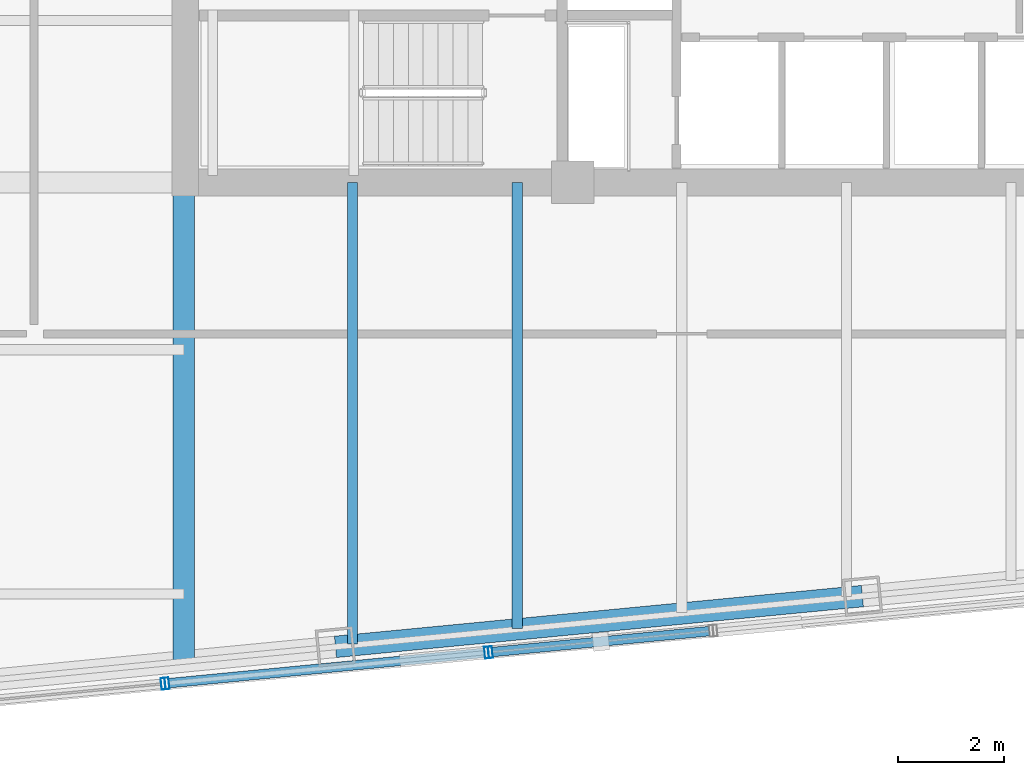
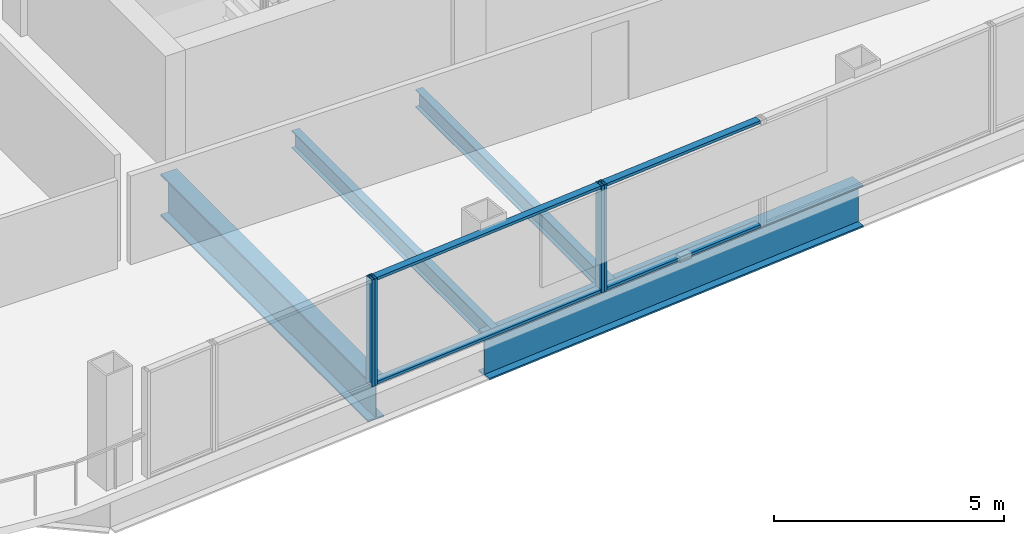
# One storey, part 4 of 28: 8 members, 4 beams, 3 elements without a shape of their own.
"""IFC4 building model written with IfcOpenShell, lengths in metres."""

from ifc_helpers import new_model, si_unit, direction, frame, origin, origin_2d, place, context, subcontext, project, spatial, hollow_rectangle, i_section, extrude, material, layer, layer_set, material_profile, profile_set, type_object, element, aggregate, save


model = new_model("IFC4")

# Units and contexts
model_context = context("Model", 3, precision=1e-05, world=origin(), true_north=direction((0.0, 1.0)))
body_context = subcontext(model_context, "Body", "Model", "MODEL_VIEW")
ifc_project = project(units=[si_unit("LENGTHUNIT", "METRE"), si_unit("AREAUNIT", "SQUARE_METRE"), si_unit("VOLUMEUNIT", "CUBIC_METRE"), si_unit("PLANEANGLEUNIT", "RADIAN"), si_unit("MASSUNIT", "GRAM", prefix="KILO")], contexts=[model_context])

# Site, building, storey
site_placement = place(None, origin())
site = spatial("IfcSite", under=ifc_project, at=site_placement, CompositionType="ELEMENT")
building_placement = place(site_placement, origin())
building = spatial("IfcBuilding", under=site, at=building_placement, Name="Qhalaya Broadcast Tower", CompositionType="ELEMENT")
storey_placement = place(building_placement, frame((0.0, 0.0, 159.199951171875)))
storey = spatial("IfcBuildingStorey", under=building, at=storey_placement, Name="L46", CompositionType="ELEMENT", Elevation=159.199951171875)

# Beams
ifc_material_1 = material(Name="Structural Steel ASTM A992 Grade 50", Category="steel")
ifc_material_profile_1 = material_profile(ifc_material_1, i_section(OverallWidth=0.19189453125, OverallDepth=0.462890625, WebThickness=0.010498046875, FlangeThickness=0.017578125, at=origin_2d()), Name="W18X60")
ifc_profile_set_1 = profile_set([ifc_material_profile_1], Name="Structural Steel ASTM A992 Grade 50")
beam_type_1 = type_object("IfcBeamType", Name="Composite Floor Joist J03", PredefinedType="JOIST", material=ifc_profile_set_1)
beam_1_placement = place(storey_placement, frame((-6.199951171875, -17.441650390625, -0.451416015625), z_axis=(0.0, 1.0, 0.0), x_axis=(-1.0, 0.0, 0.0)))
element("IfcBeam", 1, at=beam_1_placement, inside=storey, type_object=beam_type_1, Name="L46 J03 L46-JNS1-1", PredefinedType="JOIST", context=body_context, shape_type="SweptSolid", body=[
    extrude(i_section(OverallWidth=0.19189453125, OverallDepth=0.462890625, WebThickness=0.010498046875, FlangeThickness=0.017578125, at=origin_2d()), origin(), (0.0, 0.0, 1.0), 8.691650390625),
])
beam_2_placement = place(storey_placement, frame((-3.10009765625, -17.14306640625, -0.451416015625), z_axis=(0.0, 1.0, 0.0), x_axis=(-1.0, 0.0, 0.0)))
element("IfcBeam", 2, at=beam_2_placement, inside=storey, type_object=beam_type_1, Name="L46 J03 L46-JNS2-1", PredefinedType="JOIST", context=body_context, shape_type="SweptSolid", body=[
    extrude(i_section(OverallWidth=0.19189453125, OverallDepth=0.462890625, WebThickness=0.010498046875, FlangeThickness=0.017578125, at=origin_2d()), origin(), (0.0, 0.0, 1.0), 8.39306640625),
])
ifc_material_profile_2 = material_profile(ifc_material_1, i_section(OverallWidth=0.404052734375, OverallDepth=1.117919921875, WebThickness=0.026123046875, FlangeThickness=0.044921875, at=origin_2d()), Name="W44X335")
ifc_profile_set_2 = profile_set([ifc_material_profile_2], Name="Structural Steel ASTM A992 Grade 50")
beam_type_2 = type_object("IfcBeamType", Name="Podium Long-Span Primary Girder PG1", PredefinedType="USERDEFINED", material=ifc_profile_set_2)
beam_3_placement = place(storey_placement, frame((-6.521240234375, -17.49267578125, -0.779052734375), z_axis=(0.99539573508, 0.095850563819, 0.0), x_axis=(-0.095850563819, 0.99539573508, 0.0)))
element("IfcBeam", 3, at=beam_3_placement, inside=storey, type_object=beam_type_2, Name="L46 PG1 L46-SPR-02", ObjectType="GIRDER", PredefinedType="USERDEFINED", context=body_context, shape_type="SweptSolid", body=[
    extrude(i_section(OverallWidth=0.404052734375, OverallDepth=1.117919921875, WebThickness=0.026123046875, FlangeThickness=0.044921875, at=origin_2d()), origin(), (0.0, 0.0, 1.0), 9.966796875),
])
beam_4_placement = place(storey_placement, frame((-9.375, -17.747314453125, -0.779052734375), z_axis=(0.0, 1.0, 0.0), x_axis=(-1.0, 0.0, 0.0)))
element("IfcBeam", 4, at=beam_4_placement, inside=storey, type_object=beam_type_2, Name="L46 PG1 L46-PGXS1-1", ObjectType="GIRDER", PredefinedType="USERDEFINED", context=body_context, shape_type="SweptSolid", body=[
    extrude(i_section(OverallWidth=0.404052734375, OverallDepth=1.117919921875, WebThickness=0.026123046875, FlangeThickness=0.044921875, at=origin_2d()), origin(), (0.0, 0.0, 1.0), 8.997314453125),
])

# Curtain wall, member
ifc_material_2 = material(Name="Solar-Control Low-E Triple Glazing", Category="glass")
ifc_layer_1 = layer(ifc_material_2, 0.219970703125, Name="Solar-Control Low-E Triple Glazing")
ifc_layer_set_1 = layer_set([ifc_layer_1], Name="Solar-Control Low-E Triple Glazing")
curtain_wall_type_1 = type_object("IfcCurtainWallType", Name="Even-Block 4-Storey Double-Module Curtain Wall CW-03", PredefinedType="NOTDEFINED", material=ifc_layer_set_1)
curtain_wall_1_placement = place(storey_placement, origin())
curtain_wall_1 = element("IfcCurtainWall", 5, at=curtain_wall_1_placement, inside=storey, type_object=curtain_wall_type_1, Name="L46 Unitised Curtain Wall L46-CW-S2", PredefinedType="NOTDEFINED")
ifc_material_3 = material(Name="Anodised Aluminium 6063-T6", Category="aluminium")
ifc_material_profile_3 = material_profile(ifc_material_3, hollow_rectangle(XDim=0.074951171875, YDim=0.219970703125, WallThickness=0.00390625, at=origin_2d()), Name="ALU-MUL 75x220x4")
ifc_profile_set_3 = profile_set([ifc_material_profile_3], Name="Anodised Aluminium 6063-T6")
member_type_1 = type_object("IfcMemberType", Name="Unitised Curtain-Wall Mullion M01", PredefinedType="MULLION", material=ifc_profile_set_3)
member_1_placement = place(storey_placement, frame((-9.765625, -18.186767578125, 0.0), z_axis=(0.0, 0.0, 1.0), x_axis=(0.995397122956, 0.095836149814, 0.0)))
member_1 = element("IfcMember", 6, at=member_1_placement, type_object=member_type_1, Name="CW-03 mullion 2", PredefinedType="MULLION", context=body_context, shape_type="SweptSolid", body=[
    extrude(hollow_rectangle(XDim=0.074951171875, YDim=0.219970703125, WallThickness=0.00390625, at=origin_2d()), origin(), (0.0, 0.0, 1.0), 2.830078125),
])
aggregate(curtain_wall_1, [member_1])

# Curtain wall, members
ifc_material_4 = material(Name="Fired Architectural Terracotta", Category="masonry")
ifc_layer_2 = layer(ifc_material_4, 0.219970703125, Name="Fired Architectural Terracotta")
ifc_layer_set_2 = layer_set([ifc_layer_2], Name="Fired Architectural Terracotta")
curtain_wall_type_2 = type_object("IfcCurtainWallType", Name="Block-Cap Unitised Terracotta Spandrel Wall CW-07", PredefinedType="NOTDEFINED", material=ifc_layer_set_2)
curtain_wall_2_placement = place(storey_placement, origin())
curtain_wall_2 = element("IfcCurtainWall", 7, at=curtain_wall_2_placement, inside=storey, type_object=curtain_wall_type_2, Name="L46 Unitised Curtain Wall L46-CW-S3", PredefinedType="NOTDEFINED")
member_2_placement = place(storey_placement, frame((-9.691162109375, -18.1796875, 0.0), z_axis=(0.0, 0.0, 1.0), x_axis=(0.995395960619, 0.095848221597, 0.0)))
member_2 = element("IfcMember", 8, at=member_2_placement, type_object=member_type_1, Name="CW-07 mullion 1", PredefinedType="MULLION", context=body_context, shape_type="SweptSolid", body=[
    extrude(hollow_rectangle(XDim=0.074951171875, YDim=0.219970703125, WallThickness=0.00390625, at=origin_2d()), origin(), (0.0, 0.0, 1.0), 2.830078125),
])
member_3_placement = place(storey_placement, frame((-3.677001953125, -17.6005859375, 0.0), z_axis=(0.0, 0.0, 1.0), x_axis=(0.995395960619, 0.095848221597, 0.0)))
member_3 = element("IfcMember", 9, at=member_3_placement, type_object=member_type_1, Name="CW-07 mullion 2", PredefinedType="MULLION", context=body_context, shape_type="SweptSolid", body=[
    extrude(hollow_rectangle(XDim=0.074951171875, YDim=0.219970703125, WallThickness=0.00390625, at=origin_2d()), origin(), (0.0, 0.0, 1.0), 2.830078125),
])

# Curtain wall, member
curtain_wall_3_placement = place(storey_placement, origin())
curtain_wall_3 = element("IfcCurtainWall", 10, at=curtain_wall_3_placement, inside=storey, type_object=curtain_wall_type_1, Name="L46 Unitised Curtain Wall L46-CW-S4", PredefinedType="NOTDEFINED")
member_4_placement = place(storey_placement, frame((-3.602294921875, -17.59326171875, 0.0), z_axis=(0.0, 0.0, 1.0), x_axis=(0.995395094286, 0.095857218151, 0.0)))
member_4 = element("IfcMember", 11, at=member_4_placement, type_object=member_type_1, Name="CW-03 mullion 1", PredefinedType="MULLION", context=body_context, shape_type="SweptSolid", body=[
    extrude(hollow_rectangle(XDim=0.074951171875, YDim=0.219970703125, WallThickness=0.00390625, at=origin_2d()), origin(), (0.0, 0.0, 1.0), 2.830078125),
])

# Member
ifc_material_profile_4 = material_profile(ifc_material_3, hollow_rectangle(XDim=0.074951171875, YDim=0.179931640625, WallThickness=0.00390625, at=origin_2d()), Name="ALU-TRN 75x180x4")
ifc_profile_set_4 = profile_set([ifc_material_profile_4], Name="Anodised Aluminium 6063-T6")
member_type_2 = type_object("IfcMemberType", Name="Unitised Curtain-Wall Transom T01", PredefinedType="USERDEFINED", material=ifc_profile_set_4)
member_5_placement = place(storey_placement, frame((-9.65380859375, -18.176025390625, 0.03759765625), z_axis=(0.995394324344, 0.095865213003, 0.0), x_axis=(0.0, 0.0, 1.0)))
member_5 = element("IfcMember", 12, at=member_5_placement, type_object=member_type_2, Name="CW-07 transom 1.1", ObjectType="TRANSOM", PredefinedType="USERDEFINED", context=body_context, shape_type="SweptSolid", body=[
    extrude(hollow_rectangle(XDim=0.074951171875, YDim=0.179931640625, WallThickness=0.00390625, at=origin_2d()), origin(), (0.0, 0.0, 1.0), 5.967041015625),
])

member_6_placement = place(storey_placement, frame((-9.65380859375, -18.176025390625, 2.79248046875), z_axis=(0.995394324344, 0.095865213003, 0.0), x_axis=(0.0, 0.0, 1.0)))
member_6 = element("IfcMember", 13, at=member_6_placement, type_object=member_type_2, Name="CW-07 transom 1.2", ObjectType="TRANSOM", PredefinedType="USERDEFINED", context=body_context, shape_type="SweptSolid", body=[
    extrude(hollow_rectangle(XDim=0.074951171875, YDim=0.179931640625, WallThickness=0.00390625, at=origin_2d()), origin(), (0.0, 0.0, 1.0), 5.967041015625),
])

aggregate(curtain_wall_2, [member_2, member_3, member_5, member_6])

member_7_placement = place(storey_placement, frame((-3.56494140625, -17.589599609375, 0.03759765625), z_axis=(0.995399969742, 0.095806577216, 0.0), x_axis=(0.0, 0.0, 1.0)))
member_7 = element("IfcMember", 14, at=member_7_placement, type_object=member_type_2, Name="CW-03 transom 1.1", ObjectType="TRANSOM", PredefinedType="USERDEFINED", context=body_context, shape_type="SweptSolid", body=[
    extrude(hollow_rectangle(XDim=0.074951171875, YDim=0.179931640625, WallThickness=0.00390625, at=origin_2d()), origin(), (0.0, 0.0, 1.0), 4.10009765625),
])

member_8_placement = place(storey_placement, frame((-3.56494140625, -17.589599609375, 2.79248046875), z_axis=(0.995399969742, 0.095806577216, 0.0), x_axis=(0.0, 0.0, 1.0)))
member_8 = element("IfcMember", 15, at=member_8_placement, type_object=member_type_2, Name="CW-03 transom 1.2", ObjectType="TRANSOM", PredefinedType="USERDEFINED", context=body_context, shape_type="SweptSolid", body=[
    extrude(hollow_rectangle(XDim=0.074951171875, YDim=0.179931640625, WallThickness=0.00390625, at=origin_2d()), origin(), (0.0, 0.0, 1.0), 4.10009765625),
])

aggregate(curtain_wall_3, [member_4, member_7, member_8])

save(model, "model.ifc")
